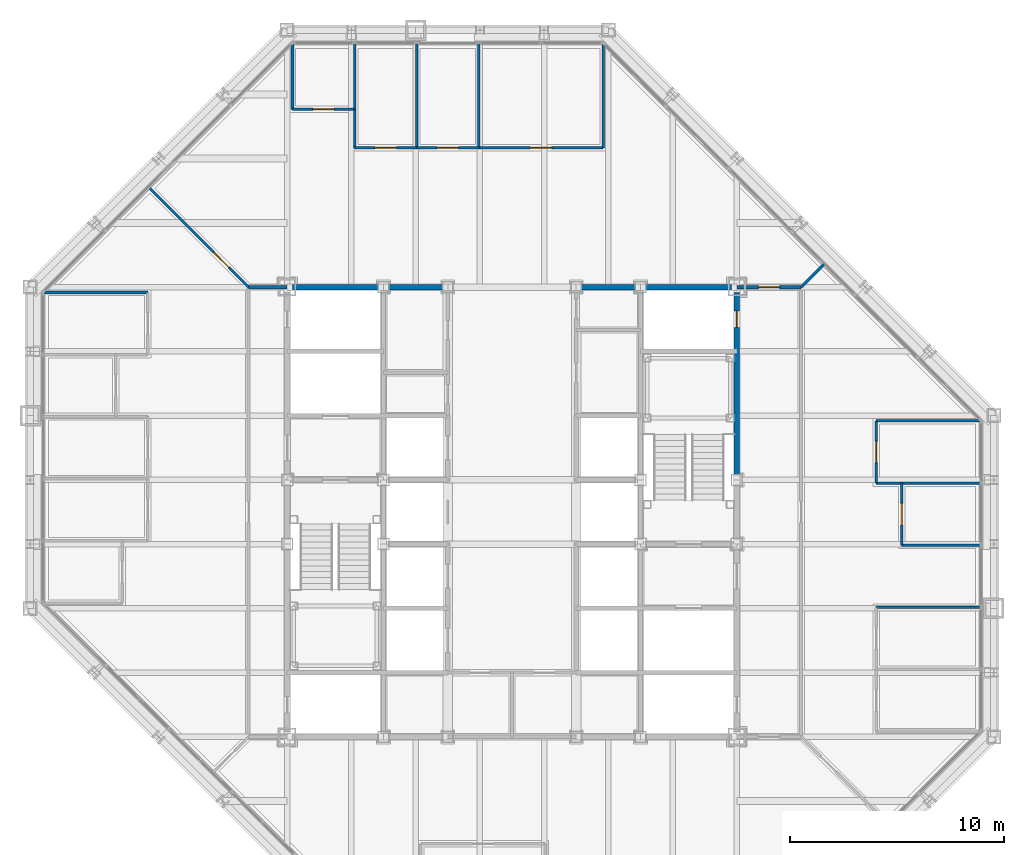
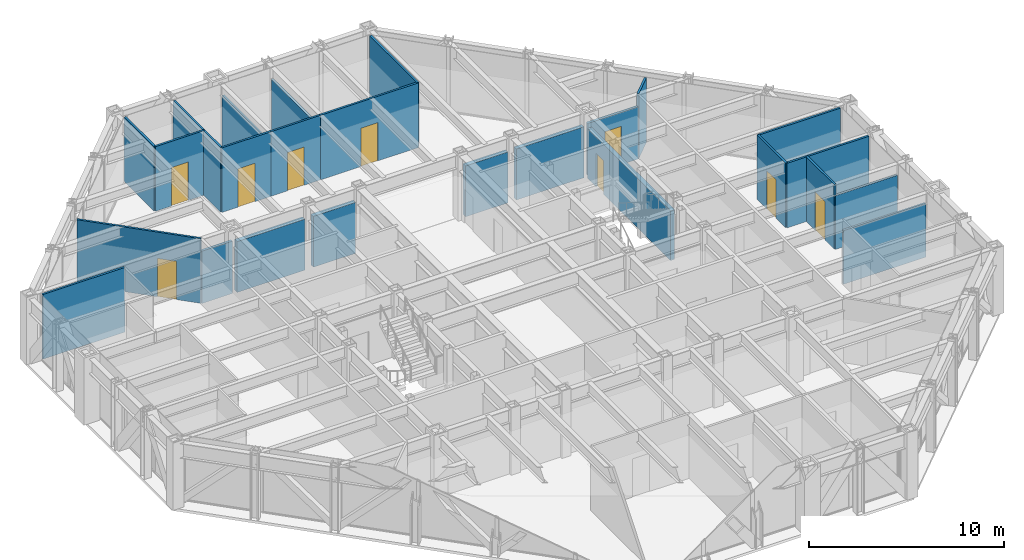
# One storey, part 13 of 16: 25 walls, 9 doors, 9 openings.
"""IFC4 building model written with IfcOpenShell, lengths in metres."""

from ifc_helpers import new_model, si_unit, direction, frame, frame_2d, origin, place, context, subcontext, project, spatial, rectangle, extrude, material, layer, layer_set, type_object, element, fill, save


model = new_model("IFC4")

# Units and contexts
model_context = context("Model", 3, precision=1e-05, world=origin(), true_north=direction((0.0, 1.0)))
body_context = subcontext(model_context, "Body", "Model", "MODEL_VIEW")
ifc_project = project(units=[si_unit("LENGTHUNIT", "METRE"), si_unit("AREAUNIT", "SQUARE_METRE"), si_unit("VOLUMEUNIT", "CUBIC_METRE"), si_unit("PLANEANGLEUNIT", "RADIAN"), si_unit("MASSUNIT", "GRAM", prefix="KILO")], contexts=[model_context])

# Site, building, storey
site_placement = place(None, origin())
site = spatial("IfcSite", under=ifc_project, at=site_placement, CompositionType="ELEMENT")
building_placement = place(site_placement, origin())
building = spatial("IfcBuilding", under=site, at=building_placement, Name="Chuquiago Exchange Tower", CompositionType="ELEMENT")
storey_placement = place(building_placement, frame((0.0, 0.0, 222.300048828125)))
storey = spatial("IfcBuildingStorey", under=building, at=storey_placement, Name="L49", CompositionType="ELEMENT", Elevation=222.300048828125)

# Walls
ifc_material_1 = material(Name="Concrete masonry, fully grouted", Category="masonry")
ifc_layer_1 = layer(ifc_material_1, 0.25)
ifc_layer_set_1 = layer_set([ifc_layer_1], Name="W1 core wall 250")
wall_type_1 = type_object("IfcWallType", Name="W1 core wall 250", PredefinedType="SOLIDWALL", material=ifc_layer_set_1)
wall_1_placement = place(storey_placement, frame((12.25, 33.0, 0.0), z_axis=(0.0, 0.0, 1.0), x_axis=(1.0, 0.0, 0.0)))
element("IfcWall", 1, at=wall_1_placement, inside=storey, type_object=wall_type_1, Name="CW-L49-11-0", PredefinedType="SOLIDWALL", context=body_context, shape_type="SweptSolid", body=[
    extrude(rectangle(XDim=4.0, YDim=0.25, at=frame_2d((2.0, 0.0))), origin(), (0.0, 0.0, 1.0), 3.181396484375),
])
for number, where, z_axis, x_axis, name in (
    (2, (16.75, 33.0, 0.0), (0.0, 0.0, 1.0), (1.0, 0.0, 0.0), "CW-L49-11-1"),
    (3, (25.75, 33.0, 0.0), (0.0, 0.0, 1.0), (1.0, 0.0, 0.0), "CW-L49-12-0"),
):
    element("IfcWall", number, at=place(storey_placement, frame(where, z_axis=z_axis, x_axis=x_axis)), inside=storey, type_object=wall_type_1, Name=name, PredefinedType="SOLIDWALL", context=body_context, shape_type="SweptSolid", body=[
        extrude(rectangle(XDim=2.5, YDim=0.25, at=frame_2d((1.25, 0.0))), origin(), (0.0, 0.0, 1.0), 3.181396484375),
    ])
wall_2_placement = place(storey_placement, frame((28.75, 33.0, 0.0), z_axis=(0.0, 0.0, 1.0), x_axis=(1.0, 0.0, 0.0)))
element("IfcWall", 4, at=wall_2_placement, inside=storey, type_object=wall_type_1, Name="CW-L49-12-1", PredefinedType="SOLIDWALL", context=body_context, shape_type="SweptSolid", body=[
    extrude(rectangle(XDim=4.0, YDim=0.25, at=frame_2d((2.0, 0.0))), origin(), (0.0, 0.0, 1.0), 3.181396484375),
])

# Wall, opening, door
wall_3_placement = place(storey_placement, frame((33.0, 24.25, 0.0), z_axis=(0.0, 0.0, 1.0), x_axis=(0.0, 1.0, 0.0)))
wall_3 = element("IfcWall", 5, at=wall_3_placement, inside=storey, type_object=wall_type_1, Name="CW-L49-25-2", PredefinedType="SOLIDWALL", context=body_context, shape_type="SweptSolid", body=[
    extrude(rectangle(XDim=8.5, YDim=0.25, at=frame_2d((4.25, 0.0))), origin(), (0.0, 0.0, 1.0), 3.11279296875),
])
opening_1_placement = place(wall_3_placement, frame((6.875, 0.0, 0.0)))
opening_1 = element("IfcOpeningElement", 6, at=opening_1_placement, cuts=wall_3, Name="Opening L49-010", PredefinedType="OPENING", context=body_context, shape_type="SweptSolid", body=[
    extrude(rectangle(XDim=0.75, YDim=2.10009765625, at=frame_2d((0.375, 1.050048828125))), frame((0.0, 0.135009765625, 0.0), z_axis=(0.0, -1.0, 0.0), x_axis=(1.0, 0.0, 0.0)), (0.0, 0.0, 1.0), 0.27001953125),
])
ifc_material_2 = material(Name="Steel door, painted", Category="steel")
door_type_1 = type_object("IfcDoorType", Name="D6 riser access door 750x2100", OperationType="SINGLE_SWING_LEFT", PredefinedType="DOOR", material=ifc_material_2)
door_1_placement = place(opening_1_placement, frame((0.75, 0.0, 0.0), z_axis=(0.0, 0.0, 1.0), x_axis=(-1.0, 0.0, 0.0)))
door_1 = element("IfcDoor", 7, at=door_1_placement, inside=storey, type_object=door_type_1, Name="Riser RE2 door", OperationType="SINGLE_SWING_LEFT", OverallHeight=2.10009765625, OverallWidth=0.75, PredefinedType="DOOR", context=body_context, shape_type="SweptSolid", body=[
    extrude(rectangle(XDim=0.75, YDim=2.10009765625, at=frame_2d((0.375, 1.050048828125))), frame((0.0, 0.02490234375, 0.0), z_axis=(0.0, -1.0, 0.0), x_axis=(1.0, 0.0, 0.0)), (0.0, 0.0, 1.0), 0.050048828125),
])
fill(opening_1, door_1)

# Wall
ifc_material_3 = material(Name="Gypsum board on steel studs, acoustic insulation", Category="steel")
ifc_layer_2 = layer(ifc_material_3, 0.14990234375)
ifc_layer_set_2 = layer_set([ifc_layer_2], Name="W11 corridor wall 150")
wall_type_2 = type_object("IfcWallType", Name="W11 corridor wall 150", PredefinedType="PARTITIONING", material=ifc_layer_set_2)
wall_4_placement = place(storey_placement, frame((10.199951171875, 33.0, 0.0), z_axis=(0.0, 0.0, 1.0), x_axis=(1.0, 0.0, 0.0)))
element("IfcWall", 8, at=wall_4_placement, inside=storey, type_object=wall_type_2, Name="PW-L49-GWN0", PredefinedType="PARTITIONING", context=body_context, shape_type="SweptSolid", body=[
    extrude(rectangle(XDim=1.800048828125, YDim=0.14990234375, at=frame_2d((0.89990234375, 0.0))), origin(), (0.0, 0.0, 1.0), 3.270263671875),
])

# Wall, opening, door
wall_5_placement = place(storey_placement, frame((33.0, 33.0, 0.0), z_axis=(0.0, 0.0, 1.0), x_axis=(1.0, 0.0, 0.0)))
wall_5 = element("IfcWall", 9, at=wall_5_placement, inside=storey, type_object=wall_type_2, Name="PW-L49-GEN0", PredefinedType="PARTITIONING", context=body_context, shape_type="SweptSolid", body=[
    extrude(rectangle(XDim=3.0, YDim=0.14990234375, at=frame_2d((1.5, 0.0))), origin(), (0.0, 0.0, 1.0), 3.270263671875),
])
opening_2_placement = place(wall_5_placement, frame((1.0, 0.0, 0.0)))
opening_2 = element("IfcOpeningElement", 10, at=opening_2_placement, cuts=wall_5, Name="Opening L49-040", PredefinedType="OPENING", context=body_context, shape_type="SweptSolid", body=[
    extrude(rectangle(XDim=1.0, YDim=2.39990234375, at=frame_2d((0.5, 1.199951171875))), frame((0.0, 0.0849609375, 0.0), z_axis=(0.0, -1.0, 0.0), x_axis=(1.0, 0.0, 0.0)), (0.0, 0.0, 1.0), 0.169921875),
])
ifc_material_4 = material(Name="Timber door, laminate faced", Category="wood")
door_type_2 = type_object("IfcDoorType", Name="D9 room door 1000x2400", OperationType="SINGLE_SWING_LEFT", PredefinedType="DOOR", material=ifc_material_4)
door_2_placement = place(opening_2_placement, origin())
door_2 = element("IfcDoor", 11, at=door_2_placement, inside=storey, type_object=door_type_2, Name="Team area door", OperationType="SINGLE_SWING_LEFT", OverallHeight=2.39990234375, OverallWidth=1.0, PredefinedType="DOOR", context=body_context, shape_type="SweptSolid", body=[
    extrude(rectangle(XDim=1.0, YDim=2.39990234375, at=frame_2d((0.5, 1.199951171875))), frame((0.0, 0.02490234375, 0.0), z_axis=(0.0, -1.0, 0.0), x_axis=(1.0, 0.0, 0.0)), (0.0, 0.0, 1.0), 0.050048828125),
])
fill(opening_2, door_2)

# Walls
ifc_material_5 = material(Name="Gypsum board on steel studs", Category="steel")
ifc_layer_3 = layer(ifc_material_5, 0.1201171875)
ifc_layer_set_3 = layer_set([ifc_layer_3], Name="W4 partition 120")
wall_type_3 = type_object("IfcWallType", Name="W4 partition 120", PredefinedType="PARTITIONING", material=ifc_layer_set_3)
wall_6_placement = place(storey_placement, frame((44.347412109375, 18.0498046875, 0.0), z_axis=(0.0, 0.0, 1.0), x_axis=(-1.0, 0.0, 0.0)))
element("IfcWall", 12, at=wall_6_placement, inside=storey, type_object=wall_type_3, Name="PW-L49-E01805", PredefinedType="PARTITIONING", context=body_context, shape_type="SweptSolid", body=[
    extrude(rectangle(XDim=4.847412109375, YDim=0.1201171875, at=frame_2d((2.423828125, 0.0))), origin(), (0.0, 0.0, 1.0), 3.356689453125),
])
wall_7_placement = place(storey_placement, frame((44.347412109375, 20.9501953125, 0.0), z_axis=(0.0, 0.0, 1.0), x_axis=(-1.0, 0.0, 0.0)))
element("IfcWall", 13, at=wall_7_placement, inside=storey, type_object=wall_type_3, Name="PW-L49-E02095", PredefinedType="PARTITIONING", context=body_context, shape_type="SweptSolid", body=[
    extrude(rectangle(XDim=3.6474609375, YDim=0.1201171875, at=frame_2d((1.82373046875, 0.0))), origin(), (0.0, 0.0, 1.0), 3.356689453125),
])
wall_8_placement = place(storey_placement, frame((44.347412109375, 23.850830078125, 0.0), z_axis=(0.0, 0.0, 1.0), x_axis=(-1.0, 0.0, 0.0)))
element("IfcWall", 14, at=wall_8_placement, inside=storey, type_object=wall_type_3, Name="PW-L49-E02385", PredefinedType="PARTITIONING", context=body_context, shape_type="SweptSolid", body=[
    extrude(rectangle(XDim=4.847412109375, YDim=0.1201171875, at=frame_2d((2.423828125, 0.0))), origin(), (0.0, 0.0, 1.0), 4.0400390625),
])
wall_9_placement = place(storey_placement, frame((44.333984375, 26.75146484375, 0.0), z_axis=(0.0, 0.0, 1.0), x_axis=(-1.0, 0.0, 0.0)))
element("IfcWall", 15, at=wall_9_placement, inside=storey, type_object=wall_type_3, Name="PW-L49-E02675", PredefinedType="PARTITIONING", context=body_context, shape_type="SweptSolid", body=[
    extrude(rectangle(XDim=4.833984375, YDim=0.1201171875, at=frame_2d((2.4169921875, 0.0))), origin(), (0.0, 0.0, 1.0), 4.0400390625),
])

# Wall, opening, door
wall_10_placement = place(storey_placement, frame((40.699951171875, 20.9501953125, 0.0), z_axis=(0.0, 0.0, 1.0), x_axis=(0.0, 1.0, 0.0)))
wall_10 = element("IfcWall", 16, at=wall_10_placement, inside=storey, type_object=wall_type_3, Name="PW-L49-EF02095", PredefinedType="PARTITIONING", context=body_context, shape_type="SweptSolid", body=[
    extrude(rectangle(XDim=2.900634765625, YDim=0.1201171875, at=frame_2d((1.4501953125, 0.0))), origin(), (0.0, 0.0, 1.0), 4.0400390625),
])
opening_3_placement = place(wall_10_placement, frame((0.9501953125, 0.0, 0.0)))
opening_3 = element("IfcOpeningElement", 17, at=opening_3_placement, cuts=wall_10, Name="Opening L49-027", PredefinedType="OPENING", context=body_context, shape_type="SweptSolid", body=[
    extrude(rectangle(XDim=1.0, YDim=2.39990234375, at=frame_2d((0.5, 1.199951171875))), frame((0.0, 0.070068359375, 0.0), z_axis=(0.0, -1.0, 0.0), x_axis=(1.0, 0.0, 0.0)), (0.0, 0.0, 1.0), 0.14013671875),
])
door_3_placement = place(opening_3_placement, frame((1.0, 0.0, 0.0), z_axis=(0.0, 0.0, 1.0), x_axis=(-1.0, 0.0, 0.0)))
door_3 = element("IfcDoor", 18, at=door_3_placement, inside=storey, type_object=door_type_2, Name="Pantry door", OperationType="SINGLE_SWING_RIGHT", OverallHeight=2.39990234375, OverallWidth=1.0, PredefinedType="DOOR", context=body_context, shape_type="SweptSolid", body=[
    extrude(rectangle(XDim=1.0, YDim=2.39990234375, at=frame_2d((0.5, 1.199951171875))), frame((0.0, 0.02490234375, 0.0), z_axis=(0.0, -1.0, 0.0), x_axis=(1.0, 0.0, 0.0)), (0.0, 0.0, 1.0), 0.050048828125),
])
fill(opening_3, door_3)

wall_11_placement = place(storey_placement, frame((39.5, 23.850830078125, 0.0), z_axis=(0.0, 0.0, 1.0), x_axis=(0.0, 1.0, 0.0)))
wall_11 = element("IfcWall", 19, at=wall_11_placement, inside=storey, type_object=wall_type_3, Name="PW-L49-EF02385", PredefinedType="PARTITIONING", context=body_context, shape_type="SweptSolid", body=[
    extrude(rectangle(XDim=2.900634765625, YDim=0.1201171875, at=frame_2d((1.4501953125, 0.0))), origin(), (0.0, 0.0, 1.0), 4.0400390625),
])
opening_4_placement = place(wall_11_placement, frame((0.9501953125, 0.0, 0.0)))
opening_4 = element("IfcOpeningElement", 20, at=opening_4_placement, cuts=wall_11, Name="Opening L49-028", PredefinedType="OPENING", context=body_context, shape_type="SweptSolid", body=[
    extrude(rectangle(XDim=1.0, YDim=2.39990234375, at=frame_2d((0.5, 1.199951171875))), frame((0.0, 0.070068359375, 0.0), z_axis=(0.0, -1.0, 0.0), x_axis=(1.0, 0.0, 0.0)), (0.0, 0.0, 1.0), 0.14013671875),
])
ifc_material_6 = material(Name="Timber frame door, full height glazed panel", Category="wood")
door_type_3 = type_object("IfcDoorType", Name="D14 glazed meeting room door 1000x2400", OperationType="SINGLE_SWING_LEFT", PredefinedType="DOOR", material=ifc_material_6)
door_4_placement = place(opening_4_placement, frame((1.0, 0.0, 0.0), z_axis=(0.0, 0.0, 1.0), x_axis=(-1.0, 0.0, 0.0)))
door_4 = element("IfcDoor", 21, at=door_4_placement, inside=storey, type_object=door_type_3, Name="Meeting room door", OperationType="SINGLE_SWING_RIGHT", OverallHeight=2.39990234375, OverallWidth=1.0, PredefinedType="DOOR", context=body_context, shape_type="SweptSolid", body=[
    extrude(rectangle(XDim=1.0, YDim=2.39990234375, at=frame_2d((0.5, 1.199951171875))), frame((0.0, 0.02490234375, 0.0), z_axis=(0.0, -1.0, 0.0), x_axis=(1.0, 0.0, 0.0)), (0.0, 0.0, 1.0), 0.050048828125),
])
fill(opening_4, door_4)

# Walls
wall_12_placement = place(storey_placement, frame((12.24853515625, 44.333984375, 0.0), z_axis=(0.0, 0.0, 1.0), x_axis=(0.0, -1.0, 0.0)))
element("IfcWall", 22, at=wall_12_placement, inside=storey, type_object=wall_type_3, Name="PW-L49-N01225", PredefinedType="PARTITIONING", context=body_context, shape_type="SweptSolid", body=[
    extrude(rectangle(XDim=3.033935546875, YDim=0.1201171875, at=frame_2d((1.51708984375, 0.0))), origin(), (0.0, 0.0, 1.0), 4.0400390625),
])
wall_13_placement = place(storey_placement, frame((15.149169921875, 44.347412109375, 0.0), z_axis=(0.0, 0.0, 1.0), x_axis=(0.0, -1.0, 0.0)))
element("IfcWall", 23, at=wall_13_placement, inside=storey, type_object=wall_type_3, Name="PW-L49-N01515", PredefinedType="PARTITIONING", context=body_context, shape_type="SweptSolid", body=[
    extrude(rectangle(XDim=4.847412109375, YDim=0.1201171875, at=frame_2d((2.423828125, 0.0))), origin(), (0.0, 0.0, 1.0), 4.0400390625),
])
for number, where, z_axis, x_axis, name in (
    (24, (18.0498046875, 44.347412109375, 0.0), (0.0, 0.0, 1.0), (0.0, -1.0, 0.0), "PW-L49-N01805"),
    (25, (20.9501953125, 44.347412109375, 0.0), (0.0, 0.0, 1.0), (0.0, -1.0, 0.0), "PW-L49-N02095"),
):
    element("IfcWall", number, at=place(storey_placement, frame(where, z_axis=z_axis, x_axis=x_axis)), inside=storey, type_object=wall_type_3, Name=name, PredefinedType="PARTITIONING", context=body_context, shape_type="SweptSolid", body=[
        extrude(rectangle(XDim=4.847412109375, YDim=0.1201171875, at=frame_2d((2.423828125, 0.0))), origin(), (0.0, 0.0, 1.0), 3.356689453125),
    ])
wall_14_placement = place(storey_placement, frame((26.75146484375, 44.333984375, 0.0), z_axis=(0.0, 0.0, 1.0), x_axis=(0.0, -1.0, 0.0)))
element("IfcWall", 26, at=wall_14_placement, inside=storey, type_object=wall_type_3, Name="PW-L49-N02675", PredefinedType="PARTITIONING", context=body_context, shape_type="SweptSolid", body=[
    extrude(rectangle(XDim=4.833984375, YDim=0.1201171875, at=frame_2d((2.4169921875, 0.0))), origin(), (0.0, 0.0, 1.0), 4.0400390625),
])

# Wall, opening, door
wall_15_placement = place(storey_placement, frame((12.24853515625, 41.300048828125, 0.0), z_axis=(0.0, 0.0, 1.0), x_axis=(1.0, 0.0, 0.0)))
wall_15 = element("IfcWall", 27, at=wall_15_placement, inside=storey, type_object=wall_type_3, Name="PW-L49-NF01225", PredefinedType="PARTITIONING", context=body_context, shape_type="SweptSolid", body=[
    extrude(rectangle(XDim=2.900634765625, YDim=0.1201171875, at=frame_2d((1.4501953125, 0.0))), origin(), (0.0, 0.0, 1.0), 4.0400390625),
])
opening_5_placement = place(wall_15_placement, frame((0.9501953125, 0.0, 0.0)))
opening_5 = element("IfcOpeningElement", 28, at=opening_5_placement, cuts=wall_15, Name="Opening L49-029", PredefinedType="OPENING", context=body_context, shape_type="SweptSolid", body=[
    extrude(rectangle(XDim=1.0, YDim=2.39990234375, at=frame_2d((0.5, 1.199951171875))), frame((0.0, 0.070068359375, 0.0), z_axis=(0.0, -1.0, 0.0), x_axis=(1.0, 0.0, 0.0)), (0.0, 0.0, 1.0), 0.14013671875),
])
door_5_placement = place(opening_5_placement, origin())
door_5 = element("IfcDoor", 29, at=door_5_placement, inside=storey, type_object=door_type_3, Name="Focus room door", OperationType="SINGLE_SWING_LEFT", OverallHeight=2.39990234375, OverallWidth=1.0, PredefinedType="DOOR", context=body_context, shape_type="SweptSolid", body=[
    extrude(rectangle(XDim=1.0, YDim=2.39990234375, at=frame_2d((0.5, 1.199951171875))), frame((0.0, 0.02490234375, 0.0), z_axis=(0.0, -1.0, 0.0), x_axis=(1.0, 0.0, 0.0)), (0.0, 0.0, 1.0), 0.050048828125),
])
fill(opening_5, door_5)

wall_16_placement = place(storey_placement, frame((15.149169921875, 39.5, 0.0), z_axis=(0.0, 0.0, 1.0), x_axis=(1.0, 0.0, 0.0)))
wall_16 = element("IfcWall", 30, at=wall_16_placement, inside=storey, type_object=wall_type_3, Name="PW-L49-NF01515", PredefinedType="PARTITIONING", context=body_context, shape_type="SweptSolid", body=[
    extrude(rectangle(XDim=2.900634765625, YDim=0.1201171875, at=frame_2d((1.4501953125, 0.0))), origin(), (0.0, 0.0, 1.0), 4.0400390625),
])
opening_6_placement = place(wall_16_placement, frame((0.9501953125, 0.0, 0.0)))
opening_6 = element("IfcOpeningElement", 31, at=opening_6_placement, cuts=wall_16, Name="Opening L49-030", PredefinedType="OPENING", context=body_context, shape_type="SweptSolid", body=[
    extrude(rectangle(XDim=1.0, YDim=2.39990234375, at=frame_2d((0.5, 1.199951171875))), frame((0.0, 0.070068359375, 0.0), z_axis=(0.0, -1.0, 0.0), x_axis=(1.0, 0.0, 0.0)), (0.0, 0.0, 1.0), 0.14013671875),
])
door_6_placement = place(opening_6_placement, origin())
door_6 = element("IfcDoor", 32, at=door_6_placement, inside=storey, type_object=door_type_2, Name="Compliance office door", OperationType="SINGLE_SWING_LEFT", OverallHeight=2.39990234375, OverallWidth=1.0, PredefinedType="DOOR", context=body_context, shape_type="SweptSolid", body=[
    extrude(rectangle(XDim=1.0, YDim=2.39990234375, at=frame_2d((0.5, 1.199951171875))), frame((0.0, 0.02490234375, 0.0), z_axis=(0.0, -1.0, 0.0), x_axis=(1.0, 0.0, 0.0)), (0.0, 0.0, 1.0), 0.050048828125),
])
fill(opening_6, door_6)

wall_17_placement = place(storey_placement, frame((18.0498046875, 39.5, 0.0), z_axis=(0.0, 0.0, 1.0), x_axis=(1.0, 0.0, 0.0)))
wall_17 = element("IfcWall", 33, at=wall_17_placement, inside=storey, type_object=wall_type_3, Name="PW-L49-NF01805", PredefinedType="PARTITIONING", context=body_context, shape_type="SweptSolid", body=[
    extrude(rectangle(XDim=2.900390625, YDim=0.1201171875, at=frame_2d((1.4501953125, 0.0))), origin(), (0.0, 0.0, 1.0), 4.0400390625),
])
opening_7_placement = place(wall_17_placement, frame((0.9501953125, 0.0, 0.0)))
opening_7 = element("IfcOpeningElement", 34, at=opening_7_placement, cuts=wall_17, Name="Opening L49-031", PredefinedType="OPENING", context=body_context, shape_type="SweptSolid", body=[
    extrude(rectangle(XDim=1.0, YDim=2.39990234375, at=frame_2d((0.5, 1.199951171875))), frame((0.0, 0.070068359375, 0.0), z_axis=(0.0, -1.0, 0.0), x_axis=(1.0, 0.0, 0.0)), (0.0, 0.0, 1.0), 0.14013671875),
])
door_7_placement = place(opening_7_placement, origin())
door_7 = element("IfcDoor", 35, at=door_7_placement, inside=storey, type_object=door_type_2, Name="Compliance office door", OperationType="SINGLE_SWING_RIGHT", OverallHeight=2.39990234375, OverallWidth=1.0, PredefinedType="DOOR", context=body_context, shape_type="SweptSolid", body=[
    extrude(rectangle(XDim=1.0, YDim=2.39990234375, at=frame_2d((0.5, 1.199951171875))), frame((0.0, 0.02490234375, 0.0), z_axis=(0.0, -1.0, 0.0), x_axis=(1.0, 0.0, 0.0)), (0.0, 0.0, 1.0), 0.050048828125),
])
fill(opening_7, door_7)

wall_18_placement = place(storey_placement, frame((20.9501953125, 39.5, 0.0), z_axis=(0.0, 0.0, 1.0), x_axis=(1.0, 0.0, 0.0)))
wall_18 = element("IfcWall", 36, at=wall_18_placement, inside=storey, type_object=wall_type_3, Name="PW-L49-NF02095", PredefinedType="PARTITIONING", context=body_context, shape_type="SweptSolid", body=[
    extrude(rectangle(XDim=5.80126953125, YDim=0.1201171875, at=frame_2d((2.900634765625, 0.0))), origin(), (0.0, 0.0, 1.0), 4.0400390625),
])
opening_8_placement = place(wall_18_placement, frame((2.400634765625, 0.0, 0.0)))
opening_8 = element("IfcOpeningElement", 37, at=opening_8_placement, cuts=wall_18, Name="Opening L49-032", PredefinedType="OPENING", context=body_context, shape_type="SweptSolid", body=[
    extrude(rectangle(XDim=1.0, YDim=2.39990234375, at=frame_2d((0.5, 1.199951171875))), frame((0.0, 0.070068359375, 0.0), z_axis=(0.0, -1.0, 0.0), x_axis=(1.0, 0.0, 0.0)), (0.0, 0.0, 1.0), 0.14013671875),
])
door_8_placement = place(opening_8_placement, origin())
door_8 = element("IfcDoor", 38, at=door_8_placement, inside=storey, type_object=door_type_3, Name="Meeting room door", OperationType="SINGLE_SWING_LEFT", OverallHeight=2.39990234375, OverallWidth=1.0, PredefinedType="DOOR", context=body_context, shape_type="SweptSolid", body=[
    extrude(rectangle(XDim=1.0, YDim=2.39990234375, at=frame_2d((0.5, 1.199951171875))), frame((0.0, 0.02490234375, 0.0), z_axis=(0.0, -1.0, 0.0), x_axis=(1.0, 0.0, 0.0)), (0.0, 0.0, 1.0), 0.050048828125),
])
fill(opening_8, door_8)

# Walls
wall_19_placement = place(storey_placement, frame((0.666015625, 32.75146484375, 0.0), z_axis=(0.0, 0.0, 1.0), x_axis=(1.0, 0.0, 0.0)))
element("IfcWall", 39, at=wall_19_placement, inside=storey, type_object=wall_type_3, Name="PW-L49-W03275", PredefinedType="PARTITIONING", context=body_context, shape_type="SweptSolid", body=[
    extrude(rectangle(XDim=4.833984375, YDim=0.1201171875, at=frame_2d((2.4169921875, 0.0))), origin(), (0.0, 0.0, 1.0), 4.0400390625),
])
wall_20_placement = place(storey_placement, frame((36.0, 33.0, 0.0), z_axis=(0.0, 0.0, 1.0), x_axis=(0.707106781187, 0.707106781187, 0.0)))
element("IfcWall", 40, at=wall_20_placement, inside=storey, type_object=wall_type_3, Name="PW-L49-QNE", PredefinedType="PARTITIONING", context=body_context, shape_type="SweptSolid", body=[
    extrude(rectangle(XDim=1.4892578125, YDim=0.1201171875, at=frame_2d((0.74462890625, 0.0))), origin(), (0.0, 0.0, 1.0), 4.0400390625),
])

# Wall, opening, door
wall_21_placement = place(storey_placement, frame((10.199951171875, 33.0, 0.0), z_axis=(0.0, 0.0, 1.0), x_axis=(-0.707106781187, 0.707106781187, 0.0)))
wall_21 = element("IfcWall", 41, at=wall_21_placement, inside=storey, type_object=wall_type_3, Name="PW-L49-QNW", PredefinedType="PARTITIONING", context=body_context, shape_type="SweptSolid", body=[
    extrude(rectangle(XDim=6.580322265625, YDim=0.1201171875, at=frame_2d((3.2900390625, 0.0))), origin(), (0.0, 0.0, 1.0), 4.0400390625),
])
opening_9_placement = place(wall_21_placement, frame((1.300048828125, 0.0, 0.0)))
opening_9 = element("IfcOpeningElement", 42, at=opening_9_placement, cuts=wall_21, Name="Opening L49-042", PredefinedType="OPENING", context=body_context, shape_type="SweptSolid", body=[
    extrude(rectangle(XDim=1.0, YDim=2.39990234375, at=frame_2d((0.5, 1.199951171875))), frame((0.0, 0.070068359375, 0.0), z_axis=(0.0, -1.0, 0.0), x_axis=(1.0, 0.0, 0.0)), (0.0, 0.0, 1.0), 0.14013671875),
])
door_9_placement = place(opening_9_placement, origin())
door_9 = element("IfcDoor", 43, at=door_9_placement, inside=storey, type_object=door_type_2, Name="Team area door", OperationType="SINGLE_SWING_LEFT", OverallHeight=2.39990234375, OverallWidth=1.0, PredefinedType="DOOR", context=body_context, shape_type="SweptSolid", body=[
    extrude(rectangle(XDim=1.0, YDim=2.39990234375, at=frame_2d((0.5, 1.199951171875))), frame((0.0, 0.02490234375, 0.0), z_axis=(0.0, -1.0, 0.0), x_axis=(1.0, 0.0, 0.0)), (0.0, 0.0, 1.0), 0.050048828125),
])
fill(opening_9, door_9)

save(model, "model.ifc")
